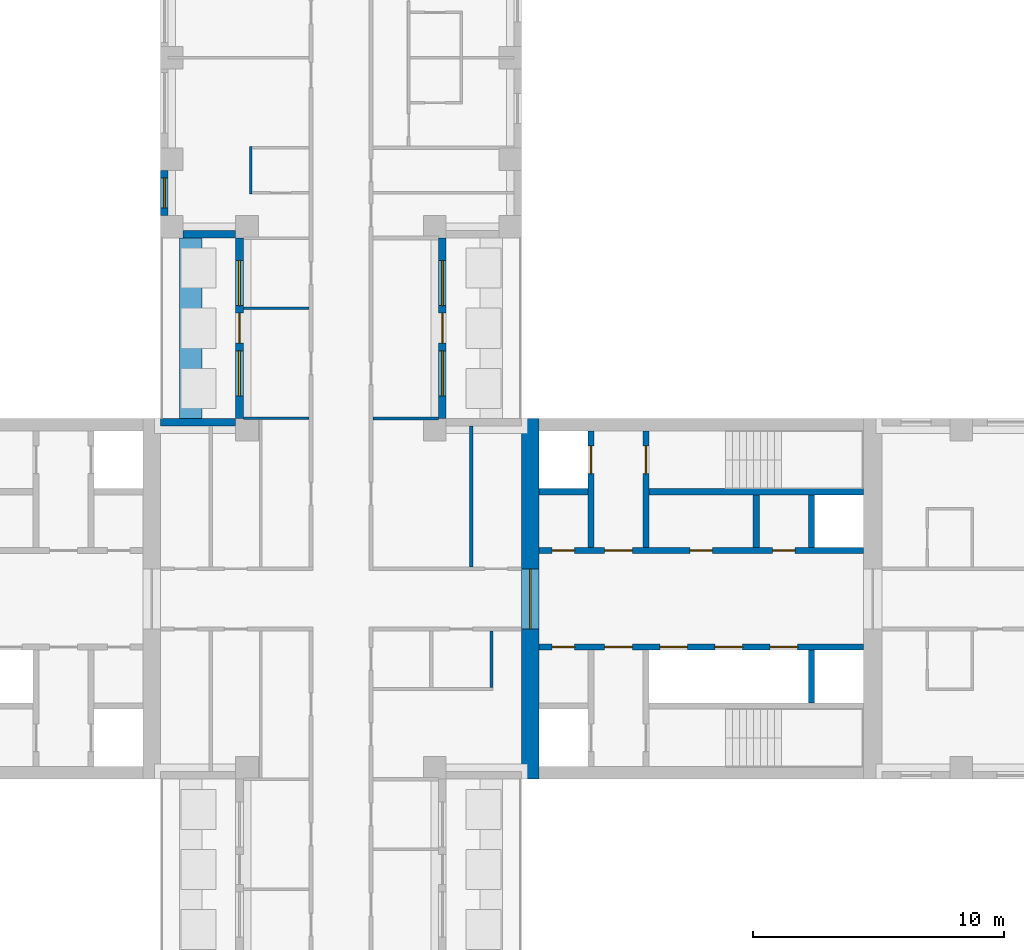
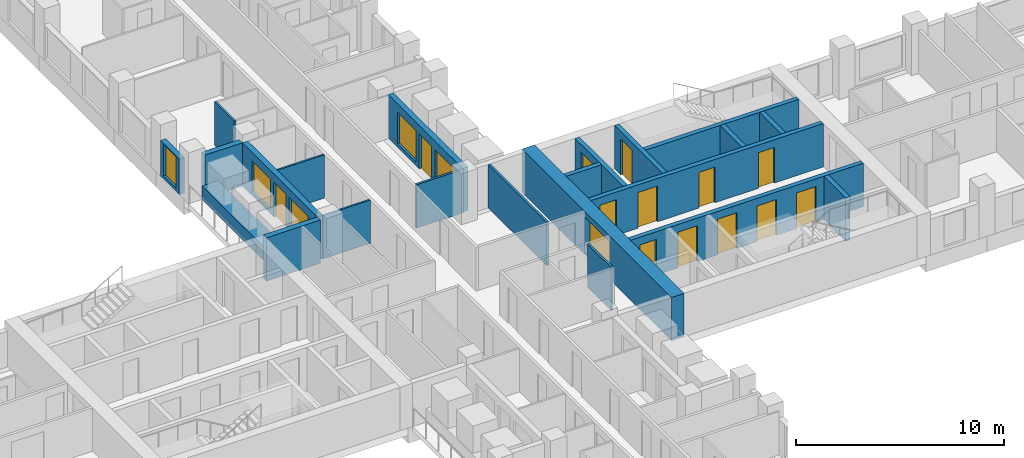
# One storey, part 8 of 15: 22 walls, 14 doors, 5 windows, 19 openings.
"""IFC4 building model written with IfcOpenShell, lengths in metres."""

from ifc_helpers import new_model, si_unit, direction, frame, frame_2d, origin, place, context, subcontext, project, spatial, rectangle, extrude, material, layer, layer_set, type_object, element, fill, save


model = new_model("IFC4")

# Units and contexts
model_context = context("Model", 3, precision=1e-05, world=origin(), true_north=direction((0.0, 1.0)))
body_context = subcontext(model_context, "Body", "Model", "MODEL_VIEW")
ifc_project = project(units=[si_unit("LENGTHUNIT", "METRE"), si_unit("AREAUNIT", "SQUARE_METRE"), si_unit("VOLUMEUNIT", "CUBIC_METRE"), si_unit("PLANEANGLEUNIT", "RADIAN"), si_unit("MASSUNIT", "GRAM", prefix="KILO")], contexts=[model_context])

# Site, building, storey
site_placement = place(None, origin())
site = spatial("IfcSite", under=ifc_project, at=site_placement, CompositionType="ELEMENT")
building_placement = place(site_placement, origin())
building = spatial("IfcBuilding", under=site, at=building_placement, Name="Fustian Cross Tower", CompositionType="ELEMENT")
storey_placement = place(building_placement, frame((0.0, 0.0, 59.699951171875)))
storey = spatial("IfcBuildingStorey", under=building, at=storey_placement, Name="L18", CompositionType="ELEMENT", Elevation=59.699951171875)

# Wall, opening, door
ifc_material_1 = material(Name="Concrete C80/95", Category="concrete")
ifc_layer_1 = layer(ifc_material_1, 0.699951171875)
ifc_layer_set_1 = layer_set([ifc_layer_1], Name="Concrete C80/95")
wall_type_1 = type_object("IfcWallType", Name="CORE END WALL 700 C80/95", PredefinedType="SHEAR", material=ifc_layer_set_1)
wall_1_placement = place(storey_placement, frame((7.550048828125, -7.199951171875, 0.0), z_axis=(0.0, 0.0, 1.0), x_axis=(0.0, 1.0, 0.0)))
wall_1 = element("IfcWall", 1, at=wall_1_placement, inside=storey, type_object=wall_type_1, Name="Core end wall", PredefinedType="SHEAR", context=body_context, shape_type="SweptSolid", body=[
    extrude(rectangle(XDim=14.39990234375, YDim=0.699951171875, at=frame_2d((7.199951171875, 0.0))), origin(), (0.0, 0.0, 1.0), 2.550048828125),
])
opening_1_placement = place(wall_1_placement, frame((6.0, 0.0, 0.0)))
opening_1 = element("IfcOpeningElement", 2, at=opening_1_placement, cuts=wall_1, Name="Opening CD-07-12", PredefinedType="OPENING", context=body_context, shape_type="SweptSolid", body=[
    extrude(rectangle(XDim=2.39990234375, YDim=2.199951171875, at=frame_2d((1.199951171875, 1.10009765625))), frame((0.0, 0.35986328125, 0.0), z_axis=(0.0, -1.0, 0.0), x_axis=(1.0, 0.0, 0.0)), (0.0, 0.0, 1.0), 0.719970703125),
])
ifc_material_2 = material(Name="Steel", Category="steel")
door_type_1 = type_object("IfcDoorType", Name="FIRE DOOR FD30S DOUBLE 2400X2200", OperationType="DOUBLE_DOOR_DOUBLE_SWING", PredefinedType="DOOR", material=ifc_material_2)
door_1_placement = place(opening_1_placement, frame((2.39990234375, 0.0, 0.0), z_axis=(0.0, 0.0, 1.0), x_axis=(-1.0, 0.0, 0.0)))
door_1 = element("IfcDoor", 3, at=door_1_placement, inside=storey, type_object=door_type_1, Name="Core door CD-07-12", OperationType="DOUBLE_DOOR_DOUBLE_SWING", OverallHeight=2.199951171875, OverallWidth=2.39990234375, PredefinedType="DOOR", context=body_context, shape_type="SweptSolid", body=[
    extrude(rectangle(XDim=2.39990234375, YDim=2.199951171875, at=frame_2d((1.199951171875, 1.10009765625))), frame((0.0, 0.02490234375, 0.0), z_axis=(0.0, -1.0, 0.0), x_axis=(1.0, 0.0, 0.0)), (0.0, 0.0, 1.0), 0.050048828125),
])
fill(opening_1, door_1)

# Wall, openings, doors
ifc_material_3 = material(Name="Concrete C50/60", Category="concrete")
ifc_layer_2 = layer(ifc_material_3, 0.25)
ifc_layer_set_2 = layer_set([ifc_layer_2], Name="Concrete C50/60")
wall_type_2 = type_object("IfcWallType", Name="CORE LOBBY WALL 250 C50/60", PredefinedType="SHEAR", material=ifc_layer_set_2)
wall_2_placement = place(storey_placement, frame((7.89990234375, 1.925048828125, 0.0), z_axis=(0.0, 0.0, 1.0), x_axis=(1.0, 0.0, 0.0)))
wall_2 = element("IfcWall", 4, at=wall_2_placement, inside=storey, type_object=wall_type_2, Name="Core lobby wall", PredefinedType="SHEAR", context=body_context, shape_type="SweptSolid", body=[
    extrude(rectangle(XDim=12.9501953125, YDim=0.25, at=frame_2d((6.47509765625, 0.0))), origin(), (0.0, 0.0, 1.0), 2.550048828125),
])
opening_2_placement = place(wall_2_placement, frame((0.52490234375, 0.0, 0.0)))
opening_2 = element("IfcOpeningElement", 5, at=opening_2_placement, cuts=wall_2, Name="Opening CD-07-08", PredefinedType="OPENING", context=body_context, shape_type="SweptSolid", body=[
    extrude(rectangle(XDim=0.89990234375, YDim=2.10009765625, at=frame_2d((0.449951171875, 1.050048828125))), frame((0.0, 0.135009765625, 0.0), z_axis=(0.0, -1.0, 0.0), x_axis=(1.0, 0.0, 0.0)), (0.0, 0.0, 1.0), 0.27001953125),
])
opening_3_placement = place(wall_2_placement, frame((2.625, 0.0, 0.0)))
opening_3 = element("IfcOpeningElement", 6, at=opening_3_placement, cuts=wall_2, Name="Opening CD-07-10", PredefinedType="OPENING", context=body_context, shape_type="SweptSolid", body=[
    extrude(rectangle(XDim=1.10009765625, YDim=2.10009765625, at=frame_2d((0.550048828125, 1.050048828125))), frame((0.0, 0.135009765625, 0.0), z_axis=(0.0, -1.0, 0.0), x_axis=(1.0, 0.0, 0.0)), (0.0, 0.0, 1.0), 0.27001953125),
])
opening_4_placement = place(wall_2_placement, frame((6.02490234375, 0.0, 0.0)))
opening_4 = element("IfcOpeningElement", 7, at=opening_4_placement, cuts=wall_2, Name="Opening CD-07-14", PredefinedType="OPENING", context=body_context, shape_type="SweptSolid", body=[
    extrude(rectangle(XDim=0.89990234375, YDim=2.10009765625, at=frame_2d((0.449951171875, 1.050048828125))), frame((0.0, 0.135009765625, 0.0), z_axis=(0.0, -1.0, 0.0), x_axis=(1.0, 0.0, 0.0)), (0.0, 0.0, 1.0), 0.27001953125),
])
opening_5_placement = place(wall_2_placement, frame((9.324951171875, 0.0, 0.0)))
opening_5 = element("IfcOpeningElement", 8, at=opening_5_placement, cuts=wall_2, Name="Opening CD-07-15", PredefinedType="OPENING", context=body_context, shape_type="SweptSolid", body=[
    extrude(rectangle(XDim=0.89990234375, YDim=2.10009765625, at=frame_2d((0.449951171875, 1.050048828125))), frame((0.0, 0.135009765625, 0.0), z_axis=(0.0, -1.0, 0.0), x_axis=(1.0, 0.0, 0.0)), (0.0, 0.0, 1.0), 0.27001953125),
])
ifc_material_4 = material(Name="Steel", Category="steel")
door_type_2 = type_object("IfcDoorType", Name="FIRE DOOR FD30S 900X2100", OperationType="SINGLE_SWING_LEFT", PredefinedType="DOOR", material=ifc_material_4)
door_2_placement = place(opening_4_placement, origin())
door_2 = element("IfcDoor", 9, at=door_2_placement, inside=storey, type_object=door_type_2, Name="Core door CD-07-14", OperationType="SINGLE_SWING_RIGHT", OverallHeight=2.10009765625, OverallWidth=0.89990234375, PredefinedType="DOOR", context=body_context, shape_type="SweptSolid", body=[
    extrude(rectangle(XDim=0.89990234375, YDim=2.10009765625, at=frame_2d((0.449951171875, 1.050048828125))), frame((0.0, 0.02490234375, 0.0), z_axis=(0.0, -1.0, 0.0), x_axis=(1.0, 0.0, 0.0)), (0.0, 0.0, 1.0), 0.050048828125),
])
fill(opening_4, door_2)
door_3_placement = place(opening_5_placement, origin())
door_3 = element("IfcDoor", 10, at=door_3_placement, inside=storey, type_object=door_type_2, Name="Core door CD-07-15", OperationType="SINGLE_SWING_LEFT", OverallHeight=2.10009765625, OverallWidth=0.89990234375, PredefinedType="DOOR", context=body_context, shape_type="SweptSolid", body=[
    extrude(rectangle(XDim=0.89990234375, YDim=2.10009765625, at=frame_2d((0.449951171875, 1.050048828125))), frame((0.0, 0.02490234375, 0.0), z_axis=(0.0, -1.0, 0.0), x_axis=(1.0, 0.0, 0.0)), (0.0, 0.0, 1.0), 0.050048828125),
])
fill(opening_5, door_3)
ifc_material_5 = material(Name="Steel", Category="steel")
door_type_3 = type_object("IfcDoorType", Name="FIRE DOOR FD60S 1100X2100", OperationType="SINGLE_SWING_LEFT", PredefinedType="DOOR", material=ifc_material_5)
door_4_placement = place(opening_3_placement, frame((1.10009765625, 0.0, 0.0), z_axis=(0.0, 0.0, 1.0), x_axis=(-1.0, 0.0, 0.0)))
door_4 = element("IfcDoor", 11, at=door_4_placement, inside=storey, type_object=door_type_3, Name="Core door CD-07-10", OperationType="SINGLE_SWING_RIGHT", OverallHeight=2.10009765625, OverallWidth=1.10009765625, PredefinedType="DOOR", context=body_context, shape_type="SweptSolid", body=[
    extrude(rectangle(XDim=1.10009765625, YDim=2.10009765625, at=frame_2d((0.550048828125, 1.050048828125))), frame((0.0, 0.02490234375, 0.0), z_axis=(0.0, -1.0, 0.0), x_axis=(1.0, 0.0, 0.0)), (0.0, 0.0, 1.0), 0.050048828125),
])
fill(opening_3, door_4)
ifc_material_6 = material(Name="Steel", Category="steel")
door_type_4 = type_object("IfcDoorType", Name="FIRE DOOR FD60S 900X2100", OperationType="SINGLE_SWING_LEFT", PredefinedType="DOOR", material=ifc_material_6)
door_5_placement = place(opening_2_placement, origin())
door_5 = element("IfcDoor", 12, at=door_5_placement, inside=storey, type_object=door_type_4, Name="Core door CD-07-08", OperationType="SINGLE_SWING_LEFT", OverallHeight=2.10009765625, OverallWidth=0.89990234375, PredefinedType="DOOR", context=body_context, shape_type="SweptSolid", body=[
    extrude(rectangle(XDim=0.89990234375, YDim=2.10009765625, at=frame_2d((0.449951171875, 1.050048828125))), frame((0.0, 0.02490234375, 0.0), z_axis=(0.0, -1.0, 0.0), x_axis=(1.0, 0.0, 0.0)), (0.0, 0.0, 1.0), 0.050048828125),
])
fill(opening_2, door_5)

wall_3_placement = place(storey_placement, frame((7.89990234375, -1.925048828125, 0.0), z_axis=(0.0, 0.0, 1.0), x_axis=(1.0, 0.0, 0.0)))
wall_3 = element("IfcWall", 13, at=wall_3_placement, inside=storey, type_object=wall_type_2, Name="Core lobby wall", PredefinedType="SHEAR", context=body_context, shape_type="SweptSolid", body=[
    extrude(rectangle(XDim=12.9501953125, YDim=0.25, at=frame_2d((6.47509765625, 0.0))), origin(), (0.0, 0.0, 1.0), 2.550048828125),
])
opening_6_placement = place(wall_3_placement, frame((4.824951171875, 0.0, 0.0)))
opening_6 = element("IfcOpeningElement", 14, at=opening_6_placement, cuts=wall_3, Name="Opening LD", PredefinedType="OPENING", context=body_context, shape_type="SweptSolid", body=[
    extrude(rectangle(XDim=1.10009765625, YDim=2.10009765625, at=frame_2d((0.550048828125, 1.050048828125))), frame((0.0, 0.135009765625, 0.0), z_axis=(0.0, -1.0, 0.0), x_axis=(1.0, 0.0, 0.0)), (0.0, 0.0, 1.0), 0.27001953125),
])
opening_7_placement = place(wall_3_placement, frame((7.02490234375, 0.0, 0.0)))
opening_7 = element("IfcOpeningElement", 15, at=opening_7_placement, cuts=wall_3, Name="Opening LD", PredefinedType="OPENING", context=body_context, shape_type="SweptSolid", body=[
    extrude(rectangle(XDim=1.10009765625, YDim=2.10009765625, at=frame_2d((0.550048828125, 1.050048828125))), frame((0.0, 0.135009765625, 0.0), z_axis=(0.0, -1.0, 0.0), x_axis=(1.0, 0.0, 0.0)), (0.0, 0.0, 1.0), 0.27001953125),
])
opening_8_placement = place(wall_3_placement, frame((9.22509765625, 0.0, 0.0)))
opening_8 = element("IfcOpeningElement", 16, at=opening_8_placement, cuts=wall_3, Name="Opening LD", PredefinedType="OPENING", context=body_context, shape_type="SweptSolid", body=[
    extrude(rectangle(XDim=1.10009765625, YDim=2.10009765625, at=frame_2d((0.550048828125, 1.050048828125))), frame((0.0, 0.135009765625, 0.0), z_axis=(0.0, -1.0, 0.0), x_axis=(1.0, 0.0, 0.0)), (0.0, 0.0, 1.0), 0.27001953125),
])
opening_9_placement = place(wall_3_placement, frame((0.52490234375, 0.0, 0.0)))
opening_9 = element("IfcOpeningElement", 17, at=opening_9_placement, cuts=wall_3, Name="Opening CD-07-09", PredefinedType="OPENING", context=body_context, shape_type="SweptSolid", body=[
    extrude(rectangle(XDim=0.89990234375, YDim=2.10009765625, at=frame_2d((0.449951171875, 1.050048828125))), frame((0.0, 0.135009765625, 0.0), z_axis=(0.0, -1.0, 0.0), x_axis=(1.0, 0.0, 0.0)), (0.0, 0.0, 1.0), 0.27001953125),
])
opening_10_placement = place(wall_3_placement, frame((2.625, 0.0, 0.0)))
opening_10 = element("IfcOpeningElement", 18, at=opening_10_placement, cuts=wall_3, Name="Opening CD-07-11", PredefinedType="OPENING", context=body_context, shape_type="SweptSolid", body=[
    extrude(rectangle(XDim=1.10009765625, YDim=2.10009765625, at=frame_2d((0.550048828125, 1.050048828125))), frame((0.0, 0.135009765625, 0.0), z_axis=(0.0, -1.0, 0.0), x_axis=(1.0, 0.0, 0.0)), (0.0, 0.0, 1.0), 0.27001953125),
])
ifc_material_7 = material(Name="Steel", Category="steel")
door_type_5 = type_object("IfcDoorType", Name="FIRE DOOR FD30S 1100X2100", OperationType="SINGLE_SWING_LEFT", PredefinedType="DOOR", material=ifc_material_7)
door_6_placement = place(opening_10_placement, frame((1.10009765625, 0.0, 0.0), z_axis=(0.0, 0.0, 1.0), x_axis=(-1.0, 0.0, 0.0)))
door_6 = element("IfcDoor", 19, at=door_6_placement, inside=storey, type_object=door_type_5, Name="Core door CD-07-11", OperationType="SINGLE_SWING_RIGHT", OverallHeight=2.10009765625, OverallWidth=1.10009765625, PredefinedType="DOOR", context=body_context, shape_type="SweptSolid", body=[
    extrude(rectangle(XDim=1.10009765625, YDim=2.10009765625, at=frame_2d((0.550048828125, 1.050048828125))), frame((0.0, 0.02490234375, 0.0), z_axis=(0.0, -1.0, 0.0), x_axis=(1.0, 0.0, 0.0)), (0.0, 0.0, 1.0), 0.050048828125),
])
fill(opening_10, door_6)
door_7_placement = place(opening_9_placement, frame((0.89990234375, 0.0, 0.0), z_axis=(0.0, 0.0, 1.0), x_axis=(-1.0, 0.0, 0.0)))
door_7 = element("IfcDoor", 20, at=door_7_placement, inside=storey, type_object=door_type_2, Name="Core door CD-07-09", OperationType="SINGLE_SWING_RIGHT", OverallHeight=2.10009765625, OverallWidth=0.89990234375, PredefinedType="DOOR", context=body_context, shape_type="SweptSolid", body=[
    extrude(rectangle(XDim=0.89990234375, YDim=2.10009765625, at=frame_2d((0.449951171875, 1.050048828125))), frame((0.0, 0.02490234375, 0.0), z_axis=(0.0, -1.0, 0.0), x_axis=(1.0, 0.0, 0.0)), (0.0, 0.0, 1.0), 0.050048828125),
])
fill(opening_9, door_7)
ifc_material_8 = material(Name="Stainless steel", Category="steel")
door_type_6 = type_object("IfcDoorType", Name="LIFT LANDING DOOR 1100X2100", OperationType="SLIDING_TO_LEFT", PredefinedType="DOOR", material=ifc_material_8)
door_8_placement = place(opening_6_placement, origin())
door_8 = element("IfcDoor", 21, at=door_8_placement, inside=storey, type_object=door_type_6, Name="Landing door LR1", OperationType="SLIDING_TO_LEFT", OverallHeight=2.10009765625, OverallWidth=1.10009765625, PredefinedType="DOOR", context=body_context, shape_type="SweptSolid", body=[
    extrude(rectangle(XDim=1.10009765625, YDim=2.10009765625, at=frame_2d((0.550048828125, 1.050048828125))), frame((0.0, 0.02490234375, 0.0), z_axis=(0.0, -1.0, 0.0), x_axis=(1.0, 0.0, 0.0)), (0.0, 0.0, 1.0), 0.050048828125),
])
fill(opening_6, door_8)
door_9_placement = place(opening_7_placement, origin())
door_9 = element("IfcDoor", 22, at=door_9_placement, inside=storey, type_object=door_type_6, Name="Landing door LR2", OperationType="SLIDING_TO_LEFT", OverallHeight=2.10009765625, OverallWidth=1.10009765625, PredefinedType="DOOR", context=body_context, shape_type="SweptSolid", body=[
    extrude(rectangle(XDim=1.10009765625, YDim=2.10009765625, at=frame_2d((0.550048828125, 1.050048828125))), frame((0.0, 0.02490234375, 0.0), z_axis=(0.0, -1.0, 0.0), x_axis=(1.0, 0.0, 0.0)), (0.0, 0.0, 1.0), 0.050048828125),
])
fill(opening_7, door_9)
door_10_placement = place(opening_8_placement, origin())
door_10 = element("IfcDoor", 23, at=door_10_placement, inside=storey, type_object=door_type_6, Name="Landing door LR3", OperationType="SLIDING_TO_LEFT", OverallHeight=2.10009765625, OverallWidth=1.10009765625, PredefinedType="DOOR", context=body_context, shape_type="SweptSolid", body=[
    extrude(rectangle(XDim=1.10009765625, YDim=2.10009765625, at=frame_2d((0.550048828125, 1.050048828125))), frame((0.0, 0.02490234375, 0.0), z_axis=(0.0, -1.0, 0.0), x_axis=(1.0, 0.0, 0.0)), (0.0, 0.0, 1.0), 0.050048828125),
])
fill(opening_8, door_10)

# Walls
ifc_material_9 = material(Name="Concrete C50/60", Category="concrete")
ifc_layer_3 = layer(ifc_material_9, 0.25)
ifc_layer_set_3 = layer_set([ifc_layer_3], Name="Concrete C50/60")
wall_type_3 = type_object("IfcWallType", Name="CORE SHAFT WALL 250 C50/60", PredefinedType="SHEAR", material=ifc_layer_set_3)
wall_4_placement = place(storey_placement, frame((7.89990234375, 4.27490234375, 0.0), z_axis=(0.0, 0.0, 1.0), x_axis=(1.0, 0.0, 0.0)))
element("IfcWall", 24, at=wall_4_placement, inside=storey, type_object=wall_type_3, Name="Core shaft wall", PredefinedType="SHEAR", context=body_context, shape_type="SweptSolid", body=[
    extrude(rectangle(XDim=1.9501953125, YDim=0.25, at=frame_2d((0.97509765625, 0.0))), origin(), (0.0, 0.0, 1.0), 2.550048828125),
])
wall_5_placement = place(storey_placement, frame((12.300048828125, 4.27490234375, 0.0), z_axis=(0.0, 0.0, 1.0), x_axis=(1.0, 0.0, 0.0)))
element("IfcWall", 25, at=wall_5_placement, inside=storey, type_object=wall_type_3, Name="Core shaft wall", PredefinedType="SHEAR", context=body_context, shape_type="SweptSolid", body=[
    extrude(rectangle(XDim=8.550048828125, YDim=0.25, at=frame_2d((4.27490234375, 0.0))), origin(), (0.0, 0.0, 1.0), 2.550048828125),
])

# Wall, opening, door
wall_6_placement = place(storey_placement, frame((9.97509765625, 2.050048828125, 0.0), z_axis=(0.0, 0.0, 1.0), x_axis=(0.0, 1.0, 0.0)))
wall_6 = element("IfcWall", 26, at=wall_6_placement, inside=storey, type_object=wall_type_3, Name="Core shaft wall", PredefinedType="SHEAR", context=body_context, shape_type="SweptSolid", body=[
    extrude(rectangle(XDim=4.64990234375, YDim=0.25, at=frame_2d((2.324951171875, 0.0))), origin(), (0.0, 0.0, 1.0), 2.550048828125),
])
opening_11_placement = place(wall_6_placement, frame((2.949951171875, 0.0, 0.0)))
opening_11 = element("IfcOpeningElement", 27, at=opening_11_placement, cuts=wall_6, Name="Opening LD", PredefinedType="OPENING", context=body_context, shape_type="SweptSolid", body=[
    extrude(rectangle(XDim=1.10009765625, YDim=2.10009765625, at=frame_2d((0.550048828125, 1.050048828125))), frame((0.0, 0.135009765625, 0.0), z_axis=(0.0, -1.0, 0.0), x_axis=(1.0, 0.0, 0.0)), (0.0, 0.0, 1.0), 0.27001953125),
])
door_11_placement = place(opening_11_placement, origin())
door_11 = element("IfcDoor", 28, at=door_11_placement, inside=storey, type_object=door_type_6, Name="Landing door FL1", OperationType="SLIDING_TO_LEFT", OverallHeight=2.10009765625, OverallWidth=1.10009765625, PredefinedType="DOOR", context=body_context, shape_type="SweptSolid", body=[
    extrude(rectangle(XDim=1.10009765625, YDim=2.10009765625, at=frame_2d((0.550048828125, 1.050048828125))), frame((0.0, 0.02490234375, 0.0), z_axis=(0.0, -1.0, 0.0), x_axis=(1.0, 0.0, 0.0)), (0.0, 0.0, 1.0), 0.050048828125),
])
fill(opening_11, door_11)

wall_7_placement = place(storey_placement, frame((12.175048828125, 2.050048828125, 0.0), z_axis=(0.0, 0.0, 1.0), x_axis=(0.0, 1.0, 0.0)))
wall_7 = element("IfcWall", 29, at=wall_7_placement, inside=storey, type_object=wall_type_3, Name="Core shaft wall", PredefinedType="SHEAR", context=body_context, shape_type="SweptSolid", body=[
    extrude(rectangle(XDim=4.64990234375, YDim=0.25, at=frame_2d((2.324951171875, 0.0))), origin(), (0.0, 0.0, 1.0), 2.550048828125),
])
opening_12_placement = place(wall_7_placement, frame((2.949951171875, 0.0, 0.0)))
opening_12 = element("IfcOpeningElement", 30, at=opening_12_placement, cuts=wall_7, Name="Opening CD-07-06", PredefinedType="OPENING", context=body_context, shape_type="SweptSolid", body=[
    extrude(rectangle(XDim=1.10009765625, YDim=2.10009765625, at=frame_2d((0.550048828125, 1.050048828125))), frame((0.0, 0.135009765625, 0.0), z_axis=(0.0, -1.0, 0.0), x_axis=(1.0, 0.0, 0.0)), (0.0, 0.0, 1.0), 0.27001953125),
])
door_12_placement = place(opening_12_placement, frame((1.10009765625, 0.0, 0.0), z_axis=(0.0, 0.0, 1.0), x_axis=(-1.0, 0.0, 0.0)))
door_12 = element("IfcDoor", 31, at=door_12_placement, inside=storey, type_object=door_type_3, Name="Core door CD-07-06", OperationType="SINGLE_SWING_RIGHT", OverallHeight=2.10009765625, OverallWidth=1.10009765625, PredefinedType="DOOR", context=body_context, shape_type="SweptSolid", body=[
    extrude(rectangle(XDim=1.10009765625, YDim=2.10009765625, at=frame_2d((0.550048828125, 1.050048828125))), frame((0.0, 0.02490234375, 0.0), z_axis=(0.0, -1.0, 0.0), x_axis=(1.0, 0.0, 0.0)), (0.0, 0.0, 1.0), 0.050048828125),
])
fill(opening_12, door_12)

# Walls
ifc_material_10 = material(Name="Plasterboard on steel stud", Category="steel")
ifc_layer_4 = layer(ifc_material_10, 0.10009765625)
ifc_layer_set_4 = layer_set([ifc_layer_4], Name="Plasterboard on steel stud")
wall_type_4 = type_object("IfcWallType", Name="PARTITION 100 STUD", PredefinedType="PARTITIONING", material=ifc_layer_set_4)
for number, where, z_axis, x_axis, name in (
    (32, (-3.89990234375, 7.199951171875, 0.0), (0.0, 0.0, 1.0), (1.0, 0.0, 0.0), "Partition 31"),
    (33, (-3.89990234375, 11.60009765625, 0.0), (0.0, 0.0, 1.0), (1.0, 0.0, 0.0), "Partition 32"),
):
    element("IfcWall", number, at=place(storey_placement, frame(where, z_axis=z_axis, x_axis=x_axis)), inside=storey, type_object=wall_type_4, Name=name, PredefinedType="PARTITIONING", context=body_context, shape_type="SweptSolid", body=[
        extrude(rectangle(XDim=2.625, YDim=0.10009765625, at=frame_2d((1.3125, 0.0))), origin(), (0.0, 0.0, 1.0), 2.550048828125),
    ])
wall_8_placement = place(storey_placement, frame((-3.60009765625, 16.14990234375, 0.0), z_axis=(0.0, 0.0, 1.0), x_axis=(0.0, 1.0, 0.0)))
element("IfcWall", 34, at=wall_8_placement, inside=storey, type_object=wall_type_4, Name="Partition 34", PredefinedType="PARTITIONING", context=body_context, shape_type="SweptSolid", body=[
    extrude(rectangle(XDim=1.900146484375, YDim=0.10009765625, at=frame_2d((0.9501953125, 0.0))), origin(), (0.0, 0.0, 1.0), 2.550048828125),
])
ifc_material_11 = material(Name="Concrete C40/50", Category="concrete")
ifc_layer_5 = layer(ifc_material_11, 0.89990234375)
ifc_layer_set_5 = layer_set([ifc_layer_5], Name="Concrete C40/50")
wall_type_5 = type_object("IfcWallType", Name="PK1 PLANTER 900", PredefinedType="PARAPET", material=ifc_layer_set_5)
wall_9_placement = place(storey_placement, frame((-6.0, 7.199951171875, 0.0), z_axis=(0.0, 0.0, 1.0), x_axis=(0.0, 1.0, 0.0)))
element("IfcWall", 35, at=wall_9_placement, inside=storey, type_object=wall_type_5, Name="PLANTER", PredefinedType="PARAPET", context=body_context, shape_type="SweptSolid", body=[
    extrude(rectangle(XDim=7.199951171875, YDim=0.89990234375, at=frame_2d((3.60009765625, 0.0))), origin(), (0.0, 0.0, 1.0), 0.800048828125),
])
ifc_material_12 = material(Name="Concrete C40/50", Category="concrete")
ifc_layer_6 = layer(ifc_material_12, 0.25)
ifc_layer_set_6 = layer_set([ifc_layer_6], Name="Concrete C40/50")
wall_type_6 = type_object("IfcWallType", Name="SHAFT PARTITION WALL 250 C40/50", PredefinedType="PARTITIONING", material=ifc_layer_set_6)
for number, where, z_axis, x_axis, name in (
    (36, (16.574951171875, 2.050048828125, 0.0), (0.0, 0.0, 1.0), (0.0, 1.0, 0.0), "Core shaft wall"),
    (37, (18.77490234375, 2.050048828125, 0.0), (0.0, 0.0, 1.0), (0.0, 1.0, 0.0), "Core shaft wall"),
    (38, (18.77490234375, -2.050048828125, 0.0), (0.0, 0.0, 1.0), (0.0, -1.0, 0.0), "Core shaft wall"),
):
    element("IfcWall", number, at=place(storey_placement, frame(where, z_axis=z_axis, x_axis=x_axis)), inside=storey, type_object=wall_type_6, Name=name, PredefinedType="PARTITIONING", context=body_context, shape_type="SweptSolid", body=[
        extrude(rectangle(XDim=2.099853515625, YDim=0.25, at=frame_2d((1.0498046875, 0.0))), origin(), (0.0, 0.0, 1.0), 2.550048828125),
    ])
ifc_material_13 = material(Name="Plasterboard on steel stud", Category="steel")
ifc_layer_7 = layer(ifc_material_13, 0.125)
ifc_layer_set_7 = layer_set([ifc_layer_7], Name="Plasterboard on steel stud")
wall_type_7 = type_object("IfcWallType", Name="WET WALL 125 STUD", PredefinedType="PARTITIONING", material=ifc_layer_set_7)
wall_10_placement = place(storey_placement, frame((1.27490234375, 7.199951171875, 0.0), z_axis=(0.0, 0.0, 1.0), x_axis=(1.0, 0.0, 0.0)))
element("IfcWall", 39, at=wall_10_placement, inside=storey, type_object=wall_type_7, Name="Partition 59", PredefinedType="PARTITIONING", context=body_context, shape_type="SweptSolid", body=[
    extrude(rectangle(XDim=2.625, YDim=0.125, at=frame_2d((1.3125, 0.0))), origin(), (0.0, 0.0, 1.0), 2.550048828125),
])
wall_11_placement = place(storey_placement, frame((5.199951171875, 1.27490234375, 0.0), z_axis=(0.0, 0.0, 1.0), x_axis=(0.0, 1.0, 0.0)))
element("IfcWall", 40, at=wall_11_placement, inside=storey, type_object=wall_type_7, Name="Partition 86", PredefinedType="PARTITIONING", context=body_context, shape_type="SweptSolid", body=[
    extrude(rectangle(XDim=5.625, YDim=0.125, at=frame_2d((2.8125, 0.0))), origin(), (0.0, 0.0, 1.0), 2.550048828125),
])
wall_12_placement = place(storey_placement, frame((6.0, -3.53759765625, 0.0), z_axis=(0.0, 0.0, 1.0), x_axis=(0.0, 1.0, 0.0)))
element("IfcWall", 41, at=wall_12_placement, inside=storey, type_object=wall_type_7, Name="Partition 87", PredefinedType="PARTITIONING", context=body_context, shape_type="SweptSolid", body=[
    extrude(rectangle(XDim=2.2626953125, YDim=0.125, at=frame_2d((1.13134765625, 0.0))), origin(), (0.0, 0.0, 1.0), 2.550048828125),
])

# Wall, openings, door, windows
ifc_material_14 = material(Name="Dark aluminium cladding on insulated backing wall", Category="aluminium")
ifc_layer_8 = layer(ifc_material_14, 0.300048828125)
ifc_layer_set_8 = layer_set([ifc_layer_8], Name="Dark aluminium cladding on insulated backing wall")
wall_type_8 = type_object("IfcWallType", Name="XW1 EXTERNAL WALL 300", PredefinedType="SOLIDWALL", material=ifc_layer_set_8)
wall_13_placement = place(storey_placement, frame((4.050048828125, 7.199951171875, 0.0), z_axis=(0.0, 0.0, 1.0), x_axis=(0.0, 1.0, 0.0)))
wall_13 = element("IfcWall", 42, at=wall_13_placement, inside=storey, type_object=wall_type_8, Name="External wall", PredefinedType="SOLIDWALL", context=body_context, shape_type="SweptSolid", body=[
    extrude(rectangle(XDim=7.199951171875, YDim=0.300048828125, at=frame_2d((3.60009765625, 0.0))), origin(), (0.0, 0.0, 1.0), 2.550048828125),
])
opening_13_placement = place(wall_13_placement, frame((3.0, 0.0, 0.0)))
opening_13 = element("IfcOpeningElement", 43, at=opening_13_placement, cuts=wall_13, Name="Opening XD1", PredefinedType="OPENING", context=body_context, shape_type="SweptSolid", body=[
    extrude(rectangle(XDim=1.199951171875, YDim=2.050048828125, at=frame_2d((0.60009765625, 1.02490234375))), frame((0.0, 0.159912109375, 0.0), z_axis=(0.0, -1.0, 0.0), x_axis=(1.0, 0.0, 0.0)), (0.0, 0.0, 1.0), 0.320068359375),
])
opening_14_placement = place(wall_13_placement, frame((0.89990234375, 0.0, 0.199951171875)))
opening_14 = element("IfcOpeningElement", 44, at=opening_14_placement, cuts=wall_13, Name="Opening WN2", PredefinedType="OPENING", context=body_context, shape_type="SweptSolid", body=[
    extrude(rectangle(XDim=1.800048828125, YDim=1.85009765625, at=frame_2d((0.89990234375, 0.925048828125))), frame((0.0, 0.159912109375, 0.0), z_axis=(0.0, -1.0, 0.0), x_axis=(1.0, 0.0, 0.0)), (0.0, 0.0, 1.0), 0.320068359375),
])
opening_15_placement = place(wall_13_placement, frame((4.5, 0.0, 0.199951171875)))
opening_15 = element("IfcOpeningElement", 45, at=opening_15_placement, cuts=wall_13, Name="Opening WN2", PredefinedType="OPENING", context=body_context, shape_type="SweptSolid", body=[
    extrude(rectangle(XDim=1.800048828125, YDim=1.85009765625, at=frame_2d((0.89990234375, 0.925048828125))), frame((0.0, 0.159912109375, 0.0), z_axis=(0.0, -1.0, 0.0), x_axis=(1.0, 0.0, 0.0)), (0.0, 0.0, 1.0), 0.320068359375),
])
ifc_material_15 = material(Name="Dark anodised aluminium and double glazing", Category="aluminium")
door_type_7 = type_object("IfcDoorType", Name="ED1 BALCONY DOOR 1200X2050", OperationType="SINGLE_SWING_LEFT", PredefinedType="DOOR", material=ifc_material_15)
door_13_placement = place(opening_13_placement, origin())
door_13 = element("IfcDoor", 46, at=door_13_placement, inside=storey, type_object=door_type_7, Name="Balcony door", OperationType="SINGLE_SWING_LEFT", OverallHeight=2.050048828125, OverallWidth=1.199951171875, PredefinedType="DOOR", context=body_context, shape_type="SweptSolid", body=[
    extrude(rectangle(XDim=1.199951171875, YDim=2.050048828125, at=frame_2d((0.60009765625, 1.02490234375))), frame((0.0, 0.02490234375, 0.0), z_axis=(0.0, -1.0, 0.0), x_axis=(1.0, 0.0, 0.0)), (0.0, 0.0, 1.0), 0.050048828125),
])
fill(opening_13, door_13)
ifc_material_16 = material(Name="Dark anodised aluminium and double glazing", Category="aluminium")
window_type_1 = type_object("IfcWindowType", Name="WN2 WINDOW 1800X1850", PartitioningType="SINGLE_PANEL", PredefinedType="WINDOW", material=ifc_material_16)
window_1_placement = place(opening_14_placement, origin())
window_1 = element("IfcWindow", 47, at=window_1_placement, inside=storey, type_object=window_type_1, Name="Window", OverallHeight=1.85009765625, OverallWidth=1.800048828125, PartitioningType="SINGLE_PANEL", PredefinedType="WINDOW", context=body_context, shape_type="SweptSolid", body=[
    extrude(rectangle(XDim=1.800048828125, YDim=1.85009765625, at=frame_2d((0.89990234375, 0.925048828125))), frame((0.0, 0.030029296875, 0.0), z_axis=(0.0, -1.0, 0.0), x_axis=(1.0, 0.0, 0.0)), (0.0, 0.0, 1.0), 0.06005859375),
])
fill(opening_14, window_1)
window_2_placement = place(opening_15_placement, origin())
window_2 = element("IfcWindow", 48, at=window_2_placement, inside=storey, type_object=window_type_1, Name="Window", OverallHeight=1.85009765625, OverallWidth=1.800048828125, PartitioningType="SINGLE_PANEL", PredefinedType="WINDOW", context=body_context, shape_type="SweptSolid", body=[
    extrude(rectangle(XDim=1.800048828125, YDim=1.85009765625, at=frame_2d((0.89990234375, 0.925048828125))), frame((0.0, 0.030029296875, 0.0), z_axis=(0.0, -1.0, 0.0), x_axis=(1.0, 0.0, 0.0)), (0.0, 0.0, 1.0), 0.06005859375),
])
fill(opening_15, window_2)

# Wall, opening, window
wall_14_placement = place(storey_placement, frame((-7.050048828125, 17.10009765625, 0.0), z_axis=(0.0, 0.0, 1.0), x_axis=(0.0, -1.0, 0.0)))
wall_14 = element("IfcWall", 49, at=wall_14_placement, inside=storey, type_object=wall_type_8, Name="External wall", PredefinedType="SOLIDWALL", context=body_context, shape_type="SweptSolid", body=[
    extrude(rectangle(XDim=1.800048828125, YDim=0.300048828125, at=frame_2d((0.89990234375, 0.0))), origin(), (0.0, 0.0, 1.0), 2.10009765625),
])
opening_16_placement = place(wall_14_placement, frame((0.300048828125, 0.0, 0.199951171875)))
opening_16 = element("IfcOpeningElement", 50, at=opening_16_placement, cuts=wall_14, Name="Opening WN3", PredefinedType="OPENING", context=body_context, shape_type="SweptSolid", body=[
    extrude(rectangle(XDim=1.199951171875, YDim=1.85009765625, at=frame_2d((0.60009765625, 0.925048828125))), frame((0.0, 0.159912109375, 0.0), z_axis=(0.0, -1.0, 0.0), x_axis=(1.0, 0.0, 0.0)), (0.0, 0.0, 1.0), 0.320068359375),
])
ifc_material_17 = material(Name="Dark anodised aluminium and double glazing", Category="aluminium")
window_type_2 = type_object("IfcWindowType", Name="WN3 WINDOW 1200X1850", PartitioningType="SINGLE_PANEL", PredefinedType="WINDOW", material=ifc_material_17)
window_3_placement = place(opening_16_placement, origin())
window_3 = element("IfcWindow", 51, at=window_3_placement, inside=storey, type_object=window_type_2, Name="Window", OverallHeight=1.85009765625, OverallWidth=1.199951171875, PartitioningType="SINGLE_PANEL", PredefinedType="WINDOW", context=body_context, shape_type="SweptSolid", body=[
    extrude(rectangle(XDim=1.199951171875, YDim=1.85009765625, at=frame_2d((0.60009765625, 0.925048828125))), frame((0.0, 0.030029296875, 0.0), z_axis=(0.0, -1.0, 0.0), x_axis=(1.0, 0.0, 0.0)), (0.0, 0.0, 1.0), 0.06005859375),
])
fill(opening_16, window_3)

# Wall
wall_15_placement = place(storey_placement, frame((-6.300048828125, 14.550048828125, 0.0), z_axis=(0.0, 0.0, 1.0), x_axis=(1.0, 0.0, 0.0)))
element("IfcWall", 52, at=wall_15_placement, inside=storey, type_object=wall_type_8, Name="External wall", PredefinedType="SOLIDWALL", context=body_context, shape_type="SweptSolid", body=[
    extrude(rectangle(XDim=2.10009765625, YDim=0.300048828125, at=frame_2d((1.050048828125, 0.0))), origin(), (0.0, 0.0, 1.0), 2.550048828125),
])

# Wall, openings, door, windows
wall_16_placement = place(storey_placement, frame((-4.050048828125, 14.39990234375, 0.0), z_axis=(0.0, 0.0, 1.0), x_axis=(0.0, -1.0, 0.0)))
wall_16 = element("IfcWall", 53, at=wall_16_placement, inside=storey, type_object=wall_type_8, Name="External wall", PredefinedType="SOLIDWALL", context=body_context, shape_type="SweptSolid", body=[
    extrude(rectangle(XDim=7.199951171875, YDim=0.300048828125, at=frame_2d((3.60009765625, 0.0))), origin(), (0.0, 0.0, 1.0), 2.550048828125),
])
opening_17_placement = place(wall_16_placement, frame((3.0, 0.0, 0.0)))
opening_17 = element("IfcOpeningElement", 54, at=opening_17_placement, cuts=wall_16, Name="Opening XD2", PredefinedType="OPENING", context=body_context, shape_type="SweptSolid", body=[
    extrude(rectangle(XDim=1.199951171875, YDim=2.050048828125, at=frame_2d((0.60009765625, 1.02490234375))), frame((0.0, 0.159912109375, 0.0), z_axis=(0.0, -1.0, 0.0), x_axis=(1.0, 0.0, 0.0)), (0.0, 0.0, 1.0), 0.320068359375),
])
opening_18_placement = place(wall_16_placement, frame((0.89990234375, 0.0, 0.199951171875)))
opening_18 = element("IfcOpeningElement", 55, at=opening_18_placement, cuts=wall_16, Name="Opening WN2", PredefinedType="OPENING", context=body_context, shape_type="SweptSolid", body=[
    extrude(rectangle(XDim=1.800048828125, YDim=1.85009765625, at=frame_2d((0.89990234375, 0.925048828125))), frame((0.0, 0.159912109375, 0.0), z_axis=(0.0, -1.0, 0.0), x_axis=(1.0, 0.0, 0.0)), (0.0, 0.0, 1.0), 0.320068359375),
])
opening_19_placement = place(wall_16_placement, frame((4.5, 0.0, 0.199951171875)))
opening_19 = element("IfcOpeningElement", 56, at=opening_19_placement, cuts=wall_16, Name="Opening WN2", PredefinedType="OPENING", context=body_context, shape_type="SweptSolid", body=[
    extrude(rectangle(XDim=1.800048828125, YDim=1.85009765625, at=frame_2d((0.89990234375, 0.925048828125))), frame((0.0, 0.159912109375, 0.0), z_axis=(0.0, -1.0, 0.0), x_axis=(1.0, 0.0, 0.0)), (0.0, 0.0, 1.0), 0.320068359375),
])
door_14_placement = place(opening_17_placement, origin())
door_14 = element("IfcDoor", 57, at=door_14_placement, inside=storey, type_object=door_type_7, Name="Balcony door", OperationType="SINGLE_SWING_LEFT", OverallHeight=2.050048828125, OverallWidth=1.199951171875, PredefinedType="DOOR", context=body_context, shape_type="SweptSolid", body=[
    extrude(rectangle(XDim=1.199951171875, YDim=2.050048828125, at=frame_2d((0.60009765625, 1.02490234375))), frame((0.0, 0.02490234375, 0.0), z_axis=(0.0, -1.0, 0.0), x_axis=(1.0, 0.0, 0.0)), (0.0, 0.0, 1.0), 0.050048828125),
])
fill(opening_17, door_14)
window_4_placement = place(opening_18_placement, origin())
window_4 = element("IfcWindow", 58, at=window_4_placement, inside=storey, type_object=window_type_1, Name="Window", OverallHeight=1.85009765625, OverallWidth=1.800048828125, PartitioningType="SINGLE_PANEL", PredefinedType="WINDOW", context=body_context, shape_type="SweptSolid", body=[
    extrude(rectangle(XDim=1.800048828125, YDim=1.85009765625, at=frame_2d((0.89990234375, 0.925048828125))), frame((0.0, 0.030029296875, 0.0), z_axis=(0.0, -1.0, 0.0), x_axis=(1.0, 0.0, 0.0)), (0.0, 0.0, 1.0), 0.06005859375),
])
fill(opening_18, window_4)
window_5_placement = place(opening_19_placement, origin())
window_5 = element("IfcWindow", 59, at=window_5_placement, inside=storey, type_object=window_type_1, Name="Window", OverallHeight=1.85009765625, OverallWidth=1.800048828125, PartitioningType="SINGLE_PANEL", PredefinedType="WINDOW", context=body_context, shape_type="SweptSolid", body=[
    extrude(rectangle(XDim=1.800048828125, YDim=1.85009765625, at=frame_2d((0.89990234375, 0.925048828125))), frame((0.0, 0.030029296875, 0.0), z_axis=(0.0, -1.0, 0.0), x_axis=(1.0, 0.0, 0.0)), (0.0, 0.0, 1.0), 0.06005859375),
])
fill(opening_19, window_5)

# Wall
wall_17_placement = place(storey_placement, frame((-4.199951171875, 7.050048828125, 0.0), z_axis=(0.0, 0.0, 1.0), x_axis=(-1.0, 0.0, 0.0)))
element("IfcWall", 60, at=wall_17_placement, inside=storey, type_object=wall_type_8, Name="External wall", PredefinedType="SOLIDWALL", context=body_context, shape_type="SweptSolid", body=[
    extrude(rectangle(XDim=3.0, YDim=0.300048828125, at=frame_2d((1.5, 0.0))), origin(), (0.0, 0.0, 1.0), 2.550048828125),
])

save(model, "model.ifc")
